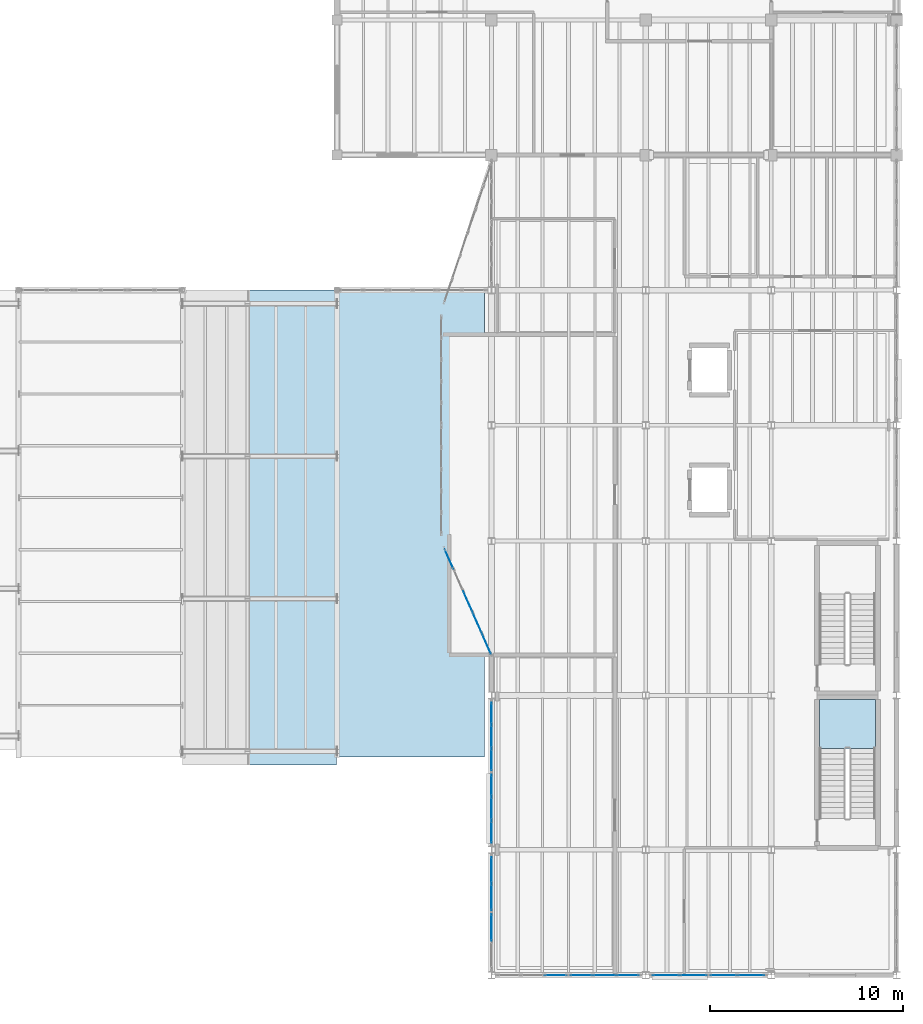
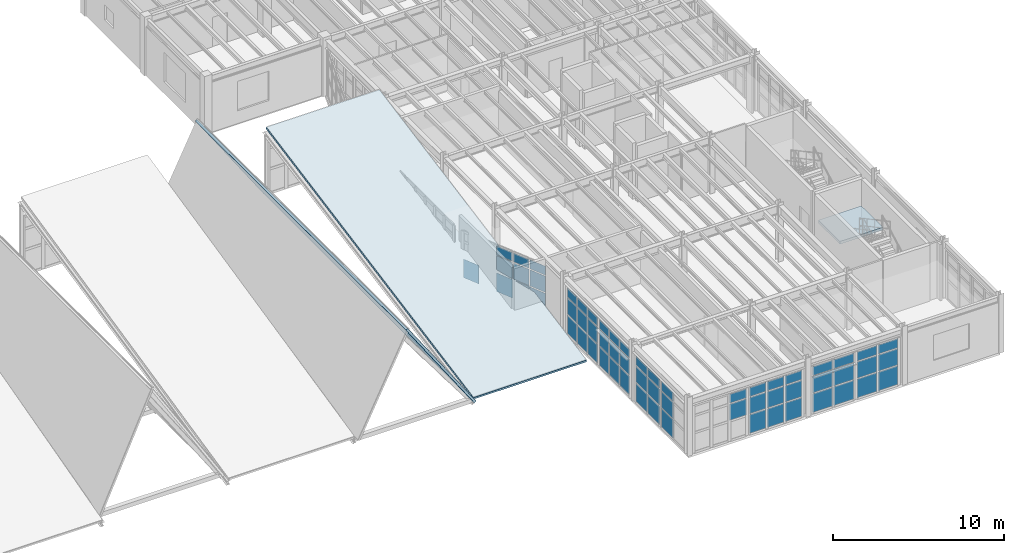
# One storey, part 51 of 77: 60 plates, 3 slabs, 12 elements without a shape of their own.
"""IFC4 building model written with IfcOpenShell, lengths in metres."""

from ifc_helpers import new_model, si_unit, direction, frame, origin, origin_2d, place, context, subcontext, project, spatial, polyline, rectangle, outline, extrude, material, layer, layer_set, type_object, element, aggregate, save


model = new_model("IFC4")

# Units and contexts
model_context = context("Model", 3, precision=1e-05, world=origin(), true_north=direction((0.0, 1.0)))
body_context = subcontext(model_context, "Body", "Model", "MODEL_VIEW")
ifc_project = project(units=[si_unit("LENGTHUNIT", "METRE"), si_unit("AREAUNIT", "SQUARE_METRE"), si_unit("VOLUMEUNIT", "CUBIC_METRE"), si_unit("PLANEANGLEUNIT", "RADIAN"), si_unit("MASSUNIT", "GRAM", prefix="KILO"), si_unit("THERMODYNAMICTEMPERATUREUNIT", "KELVIN"), si_unit("POWERUNIT", "WATT")], contexts=[model_context])

# Site, building, storey
site_placement = place(None, origin())
site = spatial("IfcSite", under=ifc_project, at=site_placement, CompositionType="ELEMENT")
building_placement = place(site_placement, origin())
building = spatial("IfcBuilding", under=site, at=building_placement, Name="Zhenchuan Central Fire Station", CompositionType="ELEMENT")
storey_placement = place(building_placement, frame((0.0, 0.0, 10.050048828125)))
storey = spatial("IfcBuildingStorey", under=building, at=storey_placement, Name="L03", CompositionType="ELEMENT", Elevation=10.050048828125)

# Curtain wall, plates
ifc_material_1 = material(Name="Anodised aluminium and low-E glazing", Category="aluminium")
curtain_wall_type_1 = type_object("IfcCurtainWallType", Name="CW-MOD-05", PredefinedType="USERDEFINED", material=ifc_material_1)
curtain_wall_1_placement = place(storey_placement, origin())
curtain_wall_1 = element("IfcCurtainWall", 1, at=curtain_wall_1_placement, inside=storey, type_object=curtain_wall_type_1, Name="L03 Unitised Curtain Wall 100", ObjectType="UNITISED GLAZING", PredefinedType="USERDEFINED")
ifc_material_2 = material(Name="Laminated low-E double glazing", Category="glass")
ifc_layer_1 = layer(ifc_material_2, 0.011962890625, Name="Laminated low-E double glazing", Category="glass")
ifc_layer_set_1 = layer_set([ifc_layer_1], Name="Laminated low-E double glazing")
plate_type = type_object("IfcPlateType", Name="CW-PNL12", PredefinedType="CURTAIN_PANEL", material=ifc_layer_set_1)
plate_1_placement = place(storey_placement, frame((143.33544921875, 0.0, 1.46044921875), z_axis=(0.0, 0.0, 1.0), x_axis=(1.0, 0.0, 0.0)))
plate_1 = element("IfcPlate", 2, at=plate_1_placement, type_object=plate_type, Name="CW-05 panel 3.2", PredefinedType="CURTAIN_PANEL", context=body_context, shape_type="SweptSolid", body=[
    extrude(rectangle(XDim=1.123046875, YDim=0.011962890625, at=origin_2d()), origin(), (0.0, 0.0, 1.0), 1.158935546875),
])
plate_2_placement = place(storey_placement, frame((143.33544921875, 0.0, 2.6845703125), z_axis=(0.0, 0.0, 1.0), x_axis=(1.0, 0.0, 0.0)))
plate_2 = element("IfcPlate", 3, at=plate_2_placement, type_object=plate_type, Name="CW-05 panel 3.3", PredefinedType="CURTAIN_PANEL", context=body_context, shape_type="SweptSolid", body=[
    extrude(rectangle(XDim=1.123046875, YDim=0.011962890625, at=origin_2d()), origin(), (0.0, 0.0, 1.0), 0.650390625),
])
aggregate(curtain_wall_1, [plate_1, plate_2])

curtain_wall_type_2 = type_object("IfcCurtainWallType", Name="CW-MOD-06", PredefinedType="USERDEFINED", material=ifc_material_1)
curtain_wall_2_placement = place(storey_placement, origin())
curtain_wall_2 = element("IfcCurtainWall", 4, at=curtain_wall_2_placement, inside=storey, type_object=curtain_wall_type_2, Name="L03 Unitised Curtain Wall 101", ObjectType="UNITISED GLAZING", PredefinedType="USERDEFINED")
plate_3_placement = place(storey_placement, frame((144.66455078125, 0.0, 0.06103515625), z_axis=(0.0, 0.0, 1.0), x_axis=(1.0, 0.0, 0.0)))
plate_3 = element("IfcPlate", 5, at=plate_3_placement, type_object=plate_type, Name="CW-06 panel 1.1", PredefinedType="CURTAIN_PANEL", context=body_context, shape_type="SweptSolid", body=[
    extrude(rectangle(XDim=1.123046875, YDim=0.011962890625, at=origin_2d()), origin(), (0.0, 0.0, 1.0), 1.33447265625),
])
plate_4_placement = place(storey_placement, frame((144.66455078125, 0.0, 1.46044921875), z_axis=(0.0, 0.0, 1.0), x_axis=(1.0, 0.0, 0.0)))
plate_4 = element("IfcPlate", 6, at=plate_4_placement, type_object=plate_type, Name="CW-06 panel 1.2", PredefinedType="CURTAIN_PANEL", context=body_context, shape_type="SweptSolid", body=[
    extrude(rectangle(XDim=1.123046875, YDim=0.011962890625, at=origin_2d()), origin(), (0.0, 0.0, 1.0), 1.158935546875),
])
plate_5_placement = place(storey_placement, frame((144.66455078125, 0.0, 2.6845703125), z_axis=(0.0, 0.0, 1.0), x_axis=(1.0, 0.0, 0.0)))
plate_5 = element("IfcPlate", 7, at=plate_5_placement, type_object=plate_type, Name="CW-06 panel 1.3", PredefinedType="CURTAIN_PANEL", context=body_context, shape_type="SweptSolid", body=[
    extrude(rectangle(XDim=1.123046875, YDim=0.011962890625, at=origin_2d()), origin(), (0.0, 0.0, 1.0), 0.650390625),
])
plate_6_placement = place(storey_placement, frame((145.868896484375, 0.0, 0.06103515625), z_axis=(0.0, 0.0, 1.0), x_axis=(1.0, 0.0, 0.0)))
plate_6 = element("IfcPlate", 8, at=plate_6_placement, type_object=plate_type, Name="CW-06 panel 2.1", PredefinedType="CURTAIN_PANEL", context=body_context, shape_type="SweptSolid", body=[
    extrude(rectangle(XDim=1.15576171875, YDim=0.011962890625, at=origin_2d()), origin(), (0.0, 0.0, 1.0), 1.33447265625),
])
plate_7_placement = place(storey_placement, frame((145.868896484375, 0.0, 1.46044921875), z_axis=(0.0, 0.0, 1.0), x_axis=(1.0, 0.0, 0.0)))
plate_7 = element("IfcPlate", 9, at=plate_7_placement, type_object=plate_type, Name="CW-06 panel 2.2", PredefinedType="CURTAIN_PANEL", context=body_context, shape_type="SweptSolid", body=[
    extrude(rectangle(XDim=1.15576171875, YDim=0.011962890625, at=origin_2d()), origin(), (0.0, 0.0, 1.0), 1.158935546875),
])
plate_8_placement = place(storey_placement, frame((145.868896484375, 0.0, 2.6845703125), z_axis=(0.0, 0.0, 1.0), x_axis=(1.0, 0.0, 0.0)))
plate_8 = element("IfcPlate", 10, at=plate_8_placement, type_object=plate_type, Name="CW-06 panel 2.3", PredefinedType="CURTAIN_PANEL", context=body_context, shape_type="SweptSolid", body=[
    extrude(rectangle(XDim=1.15576171875, YDim=0.011962890625, at=origin_2d()), origin(), (0.0, 0.0, 1.0), 0.650390625),
])
plate_9_placement = place(storey_placement, frame((147.073486328125, 0.0, 0.06103515625), z_axis=(0.0, 0.0, 1.0), x_axis=(1.0, 0.0, 0.0)))
plate_9 = element("IfcPlate", 11, at=plate_9_placement, type_object=plate_type, Name="CW-06 panel 3.1", PredefinedType="CURTAIN_PANEL", context=body_context, shape_type="SweptSolid", body=[
    extrude(rectangle(XDim=1.123046875, YDim=0.011962890625, at=origin_2d()), origin(), (0.0, 0.0, 1.0), 1.33447265625),
])
plate_10_placement = place(storey_placement, frame((147.073486328125, 0.0, 1.46044921875), z_axis=(0.0, 0.0, 1.0), x_axis=(1.0, 0.0, 0.0)))
plate_10 = element("IfcPlate", 12, at=plate_10_placement, type_object=plate_type, Name="CW-06 panel 3.2", PredefinedType="CURTAIN_PANEL", context=body_context, shape_type="SweptSolid", body=[
    extrude(rectangle(XDim=1.123046875, YDim=0.011962890625, at=origin_2d()), origin(), (0.0, 0.0, 1.0), 1.158935546875),
])
plate_11_placement = place(storey_placement, frame((147.073486328125, 0.0, 2.6845703125), z_axis=(0.0, 0.0, 1.0), x_axis=(1.0, 0.0, 0.0)))
plate_11 = element("IfcPlate", 13, at=plate_11_placement, type_object=plate_type, Name="CW-06 panel 3.3", PredefinedType="CURTAIN_PANEL", context=body_context, shape_type="SweptSolid", body=[
    extrude(rectangle(XDim=1.123046875, YDim=0.011962890625, at=origin_2d()), origin(), (0.0, 0.0, 1.0), 0.650390625),
])
aggregate(curtain_wall_2, [plate_3, plate_4, plate_5, plate_6, plate_7, plate_8, plate_9, plate_10, plate_11])

curtain_wall_3_placement = place(storey_placement, origin())
curtain_wall_3 = element("IfcCurtainWall", 14, at=curtain_wall_3_placement, inside=storey, type_object=curtain_wall_type_2, Name="L03 Unitised Curtain Wall 102", ObjectType="UNITISED GLAZING", PredefinedType="USERDEFINED")
plate_12_placement = place(storey_placement, frame((149.044189453125, 0.0, 0.06103515625), z_axis=(0.0, 0.0, 1.0), x_axis=(1.0, 0.0, 0.0)))
plate_12 = element("IfcPlate", 15, at=plate_12_placement, type_object=plate_type, Name="CW-06 panel 1.1", PredefinedType="CURTAIN_PANEL", context=body_context, shape_type="SweptSolid", body=[
    extrude(rectangle(XDim=1.3583984375, YDim=0.011962890625, at=origin_2d()), origin(), (0.0, 0.0, 1.0), 1.33447265625),
])
plate_13_placement = place(storey_placement, frame((149.044189453125, 0.0, 1.46044921875), z_axis=(0.0, 0.0, 1.0), x_axis=(1.0, 0.0, 0.0)))
plate_13 = element("IfcPlate", 16, at=plate_13_placement, type_object=plate_type, Name="CW-06 panel 1.2", PredefinedType="CURTAIN_PANEL", context=body_context, shape_type="SweptSolid", body=[
    extrude(rectangle(XDim=1.3583984375, YDim=0.011962890625, at=origin_2d()), origin(), (0.0, 0.0, 1.0), 1.158935546875),
])
plate_14_placement = place(storey_placement, frame((149.044189453125, 0.0, 2.6845703125), z_axis=(0.0, 0.0, 1.0), x_axis=(1.0, 0.0, 0.0)))
plate_14 = element("IfcPlate", 17, at=plate_14_placement, type_object=plate_type, Name="CW-06 panel 1.3", PredefinedType="CURTAIN_PANEL", context=body_context, shape_type="SweptSolid", body=[
    extrude(rectangle(XDim=1.3583984375, YDim=0.011962890625, at=origin_2d()), origin(), (0.0, 0.0, 1.0), 0.650390625),
])
plate_15_placement = place(storey_placement, frame((150.4677734375, 0.0, 0.06103515625), z_axis=(0.0, 0.0, 1.0), x_axis=(1.0, 0.0, 0.0)))
plate_15 = element("IfcPlate", 18, at=plate_15_placement, type_object=plate_type, Name="CW-06 panel 2.1", PredefinedType="CURTAIN_PANEL", context=body_context, shape_type="SweptSolid", body=[
    extrude(rectangle(XDim=1.3583984375, YDim=0.011962890625, at=origin_2d()), origin(), (0.0, 0.0, 1.0), 1.33447265625),
])
plate_16_placement = place(storey_placement, frame((150.4677734375, 0.0, 1.46044921875), z_axis=(0.0, 0.0, 1.0), x_axis=(1.0, 0.0, 0.0)))
plate_16 = element("IfcPlate", 19, at=plate_16_placement, type_object=plate_type, Name="CW-06 panel 2.2", PredefinedType="CURTAIN_PANEL", context=body_context, shape_type="SweptSolid", body=[
    extrude(rectangle(XDim=1.3583984375, YDim=0.011962890625, at=origin_2d()), origin(), (0.0, 0.0, 1.0), 1.158935546875),
])
plate_17_placement = place(storey_placement, frame((150.4677734375, 0.0, 2.6845703125), z_axis=(0.0, 0.0, 1.0), x_axis=(1.0, 0.0, 0.0)))
plate_17 = element("IfcPlate", 20, at=plate_17_placement, type_object=plate_type, Name="CW-06 panel 2.3", PredefinedType="CURTAIN_PANEL", context=body_context, shape_type="SweptSolid", body=[
    extrude(rectangle(XDim=1.3583984375, YDim=0.011962890625, at=origin_2d()), origin(), (0.0, 0.0, 1.0), 0.650390625),
])
aggregate(curtain_wall_3, [plate_12, plate_13, plate_14, plate_15, plate_16, plate_17])

curtain_wall_type_3 = type_object("IfcCurtainWallType", Name="CW-MOD-07", PredefinedType="USERDEFINED", material=ifc_material_1)
curtain_wall_4_placement = place(storey_placement, origin())
curtain_wall_4 = element("IfcCurtainWall", 21, at=curtain_wall_4_placement, inside=storey, type_object=curtain_wall_type_3, Name="L03 Unitised Curtain Wall 103", ObjectType="UNITISED GLAZING", PredefinedType="USERDEFINED")
plate_18_placement = place(storey_placement, frame((152.0322265625, 0.0, 0.06103515625), z_axis=(0.0, 0.0, 1.0), x_axis=(1.0, 0.0, 0.0)))
plate_18 = element("IfcPlate", 22, at=plate_18_placement, type_object=plate_type, Name="CW-07 panel 1.1", PredefinedType="CURTAIN_PANEL", context=body_context, shape_type="SweptSolid", body=[
    extrude(rectangle(XDim=1.3583984375, YDim=0.011962890625, at=origin_2d()), origin(), (0.0, 0.0, 1.0), 1.33447265625),
])
plate_19_placement = place(storey_placement, frame((152.0322265625, 0.0, 1.46044921875), z_axis=(0.0, 0.0, 1.0), x_axis=(1.0, 0.0, 0.0)))
plate_19 = element("IfcPlate", 23, at=plate_19_placement, type_object=plate_type, Name="CW-07 panel 1.2", PredefinedType="CURTAIN_PANEL", context=body_context, shape_type="SweptSolid", body=[
    extrude(rectangle(XDim=1.3583984375, YDim=0.011962890625, at=origin_2d()), origin(), (0.0, 0.0, 1.0), 1.158935546875),
])
plate_20_placement = place(storey_placement, frame((152.0322265625, 0.0, 2.6845703125), z_axis=(0.0, 0.0, 1.0), x_axis=(1.0, 0.0, 0.0)))
plate_20 = element("IfcPlate", 24, at=plate_20_placement, type_object=plate_type, Name="CW-07 panel 1.3", PredefinedType="CURTAIN_PANEL", context=body_context, shape_type="SweptSolid", body=[
    extrude(rectangle(XDim=1.3583984375, YDim=0.011962890625, at=origin_2d()), origin(), (0.0, 0.0, 1.0), 0.650390625),
])
plate_21_placement = place(storey_placement, frame((153.455810546875, 0.0, 0.06103515625), z_axis=(0.0, 0.0, 1.0), x_axis=(1.0, 0.0, 0.0)))
plate_21 = element("IfcPlate", 25, at=plate_21_placement, type_object=plate_type, Name="CW-07 panel 2.1", PredefinedType="CURTAIN_PANEL", context=body_context, shape_type="SweptSolid", body=[
    extrude(rectangle(XDim=1.3583984375, YDim=0.011962890625, at=origin_2d()), origin(), (0.0, 0.0, 1.0), 1.33447265625),
])
plate_22_placement = place(storey_placement, frame((153.455810546875, 0.0, 1.46044921875), z_axis=(0.0, 0.0, 1.0), x_axis=(1.0, 0.0, 0.0)))
plate_22 = element("IfcPlate", 26, at=plate_22_placement, type_object=plate_type, Name="CW-07 panel 2.2", PredefinedType="CURTAIN_PANEL", context=body_context, shape_type="SweptSolid", body=[
    extrude(rectangle(XDim=1.3583984375, YDim=0.011962890625, at=origin_2d()), origin(), (0.0, 0.0, 1.0), 1.158935546875),
])
plate_23_placement = place(storey_placement, frame((153.455810546875, 0.0, 2.6845703125), z_axis=(0.0, 0.0, 1.0), x_axis=(1.0, 0.0, 0.0)))
plate_23 = element("IfcPlate", 27, at=plate_23_placement, type_object=plate_type, Name="CW-07 panel 2.3", PredefinedType="CURTAIN_PANEL", context=body_context, shape_type="SweptSolid", body=[
    extrude(rectangle(XDim=1.3583984375, YDim=0.011962890625, at=origin_2d()), origin(), (0.0, 0.0, 1.0), 0.650390625),
])
aggregate(curtain_wall_4, [plate_18, plate_19, plate_20, plate_21, plate_22, plate_23])

curtain_wall_type_4 = type_object("IfcCurtainWallType", Name="CW-MOD-11", PredefinedType="USERDEFINED", material=ifc_material_1)
curtain_wall_5_placement = place(storey_placement, origin())
curtain_wall_5 = element("IfcCurtainWall", 28, at=curtain_wall_5_placement, inside=storey, type_object=curtain_wall_type_4, Name="L03 Unitised Curtain Wall 112", ObjectType="UNITISED GLAZING", PredefinedType="USERDEFINED")
plate_24_placement = place(storey_placement, frame((140.0, 2.4677734375, 0.06103515625), z_axis=(0.0, 0.0, 1.0), x_axis=(0.0, 1.0, 0.0)))
plate_24 = element("IfcPlate", 29, at=plate_24_placement, type_object=plate_type, Name="CW-11 panel 2.1", PredefinedType="CURTAIN_PANEL", context=body_context, shape_type="SweptSolid", body=[
    extrude(rectangle(XDim=1.3583984375, YDim=0.011962890625, at=origin_2d()), origin(), (0.0, 0.0, 1.0), 1.33447265625),
])
plate_25_placement = place(storey_placement, frame((140.0, 2.4677734375, 1.46044921875), z_axis=(0.0, 0.0, 1.0), x_axis=(0.0, 1.0, 0.0)))
plate_25 = element("IfcPlate", 30, at=plate_25_placement, type_object=plate_type, Name="CW-11 panel 2.2", PredefinedType="CURTAIN_PANEL", context=body_context, shape_type="SweptSolid", body=[
    extrude(rectangle(XDim=1.3583984375, YDim=0.011962890625, at=origin_2d()), origin(), (0.0, 0.0, 1.0), 1.158935546875),
])
plate_26_placement = place(storey_placement, frame((140.0, 2.4677734375, 2.6845703125), z_axis=(0.0, 0.0, 1.0), x_axis=(0.0, 1.0, 0.0)))
plate_26 = element("IfcPlate", 31, at=plate_26_placement, type_object=plate_type, Name="CW-11 panel 2.3", PredefinedType="CURTAIN_PANEL", context=body_context, shape_type="SweptSolid", body=[
    extrude(rectangle(XDim=1.3583984375, YDim=0.011962890625, at=origin_2d()), origin(), (0.0, 0.0, 1.0), 0.650390625),
])
aggregate(curtain_wall_5, [plate_24, plate_25, plate_26])

curtain_wall_type_5 = type_object("IfcCurtainWallType", Name="CW-MOD-12", PredefinedType="USERDEFINED", material=ifc_material_1)
curtain_wall_6_placement = place(storey_placement, origin())
curtain_wall_6 = element("IfcCurtainWall", 32, at=curtain_wall_6_placement, inside=storey, type_object=curtain_wall_type_5, Name="L03 Unitised Curtain Wall 113", ObjectType="UNITISED GLAZING", PredefinedType="USERDEFINED")
plate_27_placement = place(storey_placement, frame((140.0, 4.03466796875, 0.07080078125), z_axis=(0.0, 0.0, 1.0), x_axis=(0.0, 1.0, 0.0)))
plate_27 = element("IfcPlate", 33, at=plate_27_placement, type_object=plate_type, Name="CW-12 panel 1.1", PredefinedType="CURTAIN_PANEL", context=body_context, shape_type="SweptSolid", body=[
    extrude(rectangle(XDim=1.343505859375, YDim=0.011962890625, at=origin_2d()), origin(), (0.0, 0.0, 1.0), 1.319580078125),
])
plate_28_placement = place(storey_placement, frame((140.0, 4.03466796875, 1.465576171875), z_axis=(0.0, 0.0, 1.0), x_axis=(0.0, 1.0, 0.0)))
plate_28 = element("IfcPlate", 34, at=plate_28_placement, type_object=plate_type, Name="CW-12 panel 1.2", PredefinedType="CURTAIN_PANEL", context=body_context, shape_type="SweptSolid", body=[
    extrude(rectangle(XDim=1.343505859375, YDim=0.011962890625, at=origin_2d()), origin(), (0.0, 0.0, 1.0), 1.14892578125),
])
plate_29_placement = place(storey_placement, frame((140.0, 4.03466796875, 2.689453125), z_axis=(0.0, 0.0, 1.0), x_axis=(0.0, 1.0, 0.0)))
plate_29 = element("IfcPlate", 35, at=plate_29_placement, type_object=plate_type, Name="CW-12 panel 1.3", PredefinedType="CURTAIN_PANEL", context=body_context, shape_type="SweptSolid", body=[
    extrude(rectangle(XDim=1.343505859375, YDim=0.011962890625, at=origin_2d()), origin(), (0.0, 0.0, 1.0), 0.635498046875),
])
plate_30_placement = place(storey_placement, frame((140.0, 5.453369140625, 0.07080078125), z_axis=(0.0, 0.0, 1.0), x_axis=(0.0, 1.0, 0.0)))
plate_30 = element("IfcPlate", 36, at=plate_30_placement, type_object=plate_type, Name="CW-12 panel 2.1", PredefinedType="CURTAIN_PANEL", context=body_context, shape_type="SweptSolid", body=[
    extrude(rectangle(XDim=1.343505859375, YDim=0.011962890625, at=origin_2d()), origin(), (0.0, 0.0, 1.0), 1.319580078125),
])
plate_31_placement = place(storey_placement, frame((140.0, 5.453369140625, 1.465576171875), z_axis=(0.0, 0.0, 1.0), x_axis=(0.0, 1.0, 0.0)))
plate_31 = element("IfcPlate", 37, at=plate_31_placement, type_object=plate_type, Name="CW-12 panel 2.2", PredefinedType="CURTAIN_PANEL", context=body_context, shape_type="SweptSolid", body=[
    extrude(rectangle(XDim=1.343505859375, YDim=0.011962890625, at=origin_2d()), origin(), (0.0, 0.0, 1.0), 1.14892578125),
])
plate_32_placement = place(storey_placement, frame((140.0, 5.453369140625, 2.689453125), z_axis=(0.0, 0.0, 1.0), x_axis=(0.0, 1.0, 0.0)))
plate_32 = element("IfcPlate", 38, at=plate_32_placement, type_object=plate_type, Name="CW-12 panel 2.3", PredefinedType="CURTAIN_PANEL", context=body_context, shape_type="SweptSolid", body=[
    extrude(rectangle(XDim=1.343505859375, YDim=0.011962890625, at=origin_2d()), origin(), (0.0, 0.0, 1.0), 0.635498046875),
])
aggregate(curtain_wall_6, [plate_27, plate_28, plate_29, plate_30, plate_31, plate_32])

curtain_wall_7_placement = place(storey_placement, origin())
curtain_wall_7 = element("IfcCurtainWall", 39, at=curtain_wall_7_placement, inside=storey, type_object=curtain_wall_type_5, Name="L03 Unitised Curtain Wall 114", ObjectType="UNITISED GLAZING", PredefinedType="USERDEFINED")
plate_33_placement = place(storey_placement, frame((140.0, 7.42919921875, 0.07080078125), z_axis=(0.0, 0.0, 1.0), x_axis=(0.0, 1.0, 0.0)))
plate_33 = element("IfcPlate", 40, at=plate_33_placement, type_object=plate_type, Name="CW-12 panel 1.1", PredefinedType="CURTAIN_PANEL", context=body_context, shape_type="SweptSolid", body=[
    extrude(rectangle(XDim=1.108154296875, YDim=0.011962890625, at=origin_2d()), origin(), (0.0, 0.0, 1.0), 1.319580078125),
])
plate_34_placement = place(storey_placement, frame((140.0, 7.42919921875, 1.465576171875), z_axis=(0.0, 0.0, 1.0), x_axis=(0.0, 1.0, 0.0)))
plate_34 = element("IfcPlate", 41, at=plate_34_placement, type_object=plate_type, Name="CW-12 panel 1.2", PredefinedType="CURTAIN_PANEL", context=body_context, shape_type="SweptSolid", body=[
    extrude(rectangle(XDim=1.108154296875, YDim=0.011962890625, at=origin_2d()), origin(), (0.0, 0.0, 1.0), 1.14892578125),
])
plate_35_placement = place(storey_placement, frame((140.0, 7.42919921875, 2.689453125), z_axis=(0.0, 0.0, 1.0), x_axis=(0.0, 1.0, 0.0)))
plate_35 = element("IfcPlate", 42, at=plate_35_placement, type_object=plate_type, Name="CW-12 panel 1.3", PredefinedType="CURTAIN_PANEL", context=body_context, shape_type="SweptSolid", body=[
    extrude(rectangle(XDim=1.108154296875, YDim=0.011962890625, at=origin_2d()), origin(), (0.0, 0.0, 1.0), 0.635498046875),
])
plate_36_placement = place(storey_placement, frame((140.0, 8.631103515625, 0.07080078125), z_axis=(0.0, 0.0, 1.0), x_axis=(0.0, 1.0, 0.0)))
plate_36 = element("IfcPlate", 43, at=plate_36_placement, type_object=plate_type, Name="CW-12 panel 2.1", PredefinedType="CURTAIN_PANEL", context=body_context, shape_type="SweptSolid", body=[
    extrude(rectangle(XDim=1.145751953125, YDim=0.011962890625, at=origin_2d()), origin(), (0.0, 0.0, 1.0), 1.319580078125),
])
plate_37_placement = place(storey_placement, frame((140.0, 8.631103515625, 1.465576171875), z_axis=(0.0, 0.0, 1.0), x_axis=(0.0, 1.0, 0.0)))
plate_37 = element("IfcPlate", 44, at=plate_37_placement, type_object=plate_type, Name="CW-12 panel 2.2", PredefinedType="CURTAIN_PANEL", context=body_context, shape_type="SweptSolid", body=[
    extrude(rectangle(XDim=1.145751953125, YDim=0.011962890625, at=origin_2d()), origin(), (0.0, 0.0, 1.0), 1.14892578125),
])
plate_38_placement = place(storey_placement, frame((140.0, 8.631103515625, 2.689453125), z_axis=(0.0, 0.0, 1.0), x_axis=(0.0, 1.0, 0.0)))
plate_38 = element("IfcPlate", 45, at=plate_38_placement, type_object=plate_type, Name="CW-12 panel 2.3", PredefinedType="CURTAIN_PANEL", context=body_context, shape_type="SweptSolid", body=[
    extrude(rectangle(XDim=1.145751953125, YDim=0.011962890625, at=origin_2d()), origin(), (0.0, 0.0, 1.0), 0.635498046875),
])
plate_39_placement = place(storey_placement, frame((140.0, 9.8330078125, 0.07080078125), z_axis=(0.0, 0.0, 1.0), x_axis=(0.0, 1.0, 0.0)))
plate_39 = element("IfcPlate", 46, at=plate_39_placement, type_object=plate_type, Name="CW-12 panel 3.1", PredefinedType="CURTAIN_PANEL", context=body_context, shape_type="SweptSolid", body=[
    extrude(rectangle(XDim=1.108154296875, YDim=0.011962890625, at=origin_2d()), origin(), (0.0, 0.0, 1.0), 1.319580078125),
])
plate_40_placement = place(storey_placement, frame((140.0, 9.8330078125, 1.465576171875), z_axis=(0.0, 0.0, 1.0), x_axis=(0.0, 1.0, 0.0)))
plate_40 = element("IfcPlate", 47, at=plate_40_placement, type_object=plate_type, Name="CW-12 panel 3.2", PredefinedType="CURTAIN_PANEL", context=body_context, shape_type="SweptSolid", body=[
    extrude(rectangle(XDim=1.108154296875, YDim=0.011962890625, at=origin_2d()), origin(), (0.0, 0.0, 1.0), 1.14892578125),
])
plate_41_placement = place(storey_placement, frame((140.0, 9.8330078125, 2.689453125), z_axis=(0.0, 0.0, 1.0), x_axis=(0.0, 1.0, 0.0)))
plate_41 = element("IfcPlate", 48, at=plate_41_placement, type_object=plate_type, Name="CW-12 panel 3.3", PredefinedType="CURTAIN_PANEL", context=body_context, shape_type="SweptSolid", body=[
    extrude(rectangle(XDim=1.108154296875, YDim=0.011962890625, at=origin_2d()), origin(), (0.0, 0.0, 1.0), 0.635498046875),
])
aggregate(curtain_wall_7, [plate_33, plate_34, plate_35, plate_36, plate_37, plate_38, plate_39, plate_40, plate_41])

curtain_wall_type_6 = type_object("IfcCurtainWallType", Name="CW-MOD-13", PredefinedType="USERDEFINED", material=ifc_material_1)
curtain_wall_8_placement = place(storey_placement, origin())
curtain_wall_8 = element("IfcCurtainWall", 49, at=curtain_wall_8_placement, inside=storey, type_object=curtain_wall_type_6, Name="L03 Unitised Curtain Wall 115", ObjectType="UNITISED GLAZING", PredefinedType="USERDEFINED")
plate_42_placement = place(storey_placement, frame((140.0, 11.1669921875, 0.07080078125), z_axis=(0.0, 0.0, 1.0), x_axis=(0.0, 1.0, 0.0)))
plate_42 = element("IfcPlate", 50, at=plate_42_placement, type_object=plate_type, Name="CW-13 panel 1.1", PredefinedType="CURTAIN_PANEL", context=body_context, shape_type="SweptSolid", body=[
    extrude(rectangle(XDim=1.108154296875, YDim=0.011962890625, at=origin_2d()), origin(), (0.0, 0.0, 1.0), 1.319580078125),
])
plate_43_placement = place(storey_placement, frame((140.0, 11.1669921875, 1.465576171875), z_axis=(0.0, 0.0, 1.0), x_axis=(0.0, 1.0, 0.0)))
plate_43 = element("IfcPlate", 51, at=plate_43_placement, type_object=plate_type, Name="CW-13 panel 1.2", PredefinedType="CURTAIN_PANEL", context=body_context, shape_type="SweptSolid", body=[
    extrude(rectangle(XDim=1.108154296875, YDim=0.011962890625, at=origin_2d()), origin(), (0.0, 0.0, 1.0), 1.14892578125),
])
plate_44_placement = place(storey_placement, frame((140.0, 11.1669921875, 2.689453125), z_axis=(0.0, 0.0, 1.0), x_axis=(0.0, 1.0, 0.0)))
plate_44 = element("IfcPlate", 52, at=plate_44_placement, type_object=plate_type, Name="CW-13 panel 1.3", PredefinedType="CURTAIN_PANEL", context=body_context, shape_type="SweptSolid", body=[
    extrude(rectangle(XDim=1.108154296875, YDim=0.011962890625, at=origin_2d()), origin(), (0.0, 0.0, 1.0), 0.635498046875),
])
plate_45_placement = place(storey_placement, frame((140.0, 12.368896484375, 0.07080078125), z_axis=(0.0, 0.0, 1.0), x_axis=(0.0, 1.0, 0.0)))
plate_45 = element("IfcPlate", 53, at=plate_45_placement, type_object=plate_type, Name="CW-13 panel 2.1", PredefinedType="CURTAIN_PANEL", context=body_context, shape_type="SweptSolid", body=[
    extrude(rectangle(XDim=1.145751953125, YDim=0.011962890625, at=origin_2d()), origin(), (0.0, 0.0, 1.0), 1.319580078125),
])
plate_46_placement = place(storey_placement, frame((140.0, 12.368896484375, 1.465576171875), z_axis=(0.0, 0.0, 1.0), x_axis=(0.0, 1.0, 0.0)))
plate_46 = element("IfcPlate", 54, at=plate_46_placement, type_object=plate_type, Name="CW-13 panel 2.2", PredefinedType="CURTAIN_PANEL", context=body_context, shape_type="SweptSolid", body=[
    extrude(rectangle(XDim=1.145751953125, YDim=0.011962890625, at=origin_2d()), origin(), (0.0, 0.0, 1.0), 1.14892578125),
])
plate_47_placement = place(storey_placement, frame((140.0, 12.368896484375, 2.689453125), z_axis=(0.0, 0.0, 1.0), x_axis=(0.0, 1.0, 0.0)))
plate_47 = element("IfcPlate", 55, at=plate_47_placement, type_object=plate_type, Name="CW-13 panel 2.3", PredefinedType="CURTAIN_PANEL", context=body_context, shape_type="SweptSolid", body=[
    extrude(rectangle(XDim=1.145751953125, YDim=0.011962890625, at=origin_2d()), origin(), (0.0, 0.0, 1.0), 0.635498046875),
])
plate_48_placement = place(storey_placement, frame((140.0, 13.57080078125, 0.07080078125), z_axis=(0.0, 0.0, 1.0), x_axis=(0.0, 1.0, 0.0)))
plate_48 = element("IfcPlate", 56, at=plate_48_placement, type_object=plate_type, Name="CW-13 panel 3.1", PredefinedType="CURTAIN_PANEL", context=body_context, shape_type="SweptSolid", body=[
    extrude(rectangle(XDim=1.108154296875, YDim=0.011962890625, at=origin_2d()), origin(), (0.0, 0.0, 1.0), 1.319580078125),
])
plate_49_placement = place(storey_placement, frame((140.0, 13.57080078125, 1.465576171875), z_axis=(0.0, 0.0, 1.0), x_axis=(0.0, 1.0, 0.0)))
plate_49 = element("IfcPlate", 57, at=plate_49_placement, type_object=plate_type, Name="CW-13 panel 3.2", PredefinedType="CURTAIN_PANEL", context=body_context, shape_type="SweptSolid", body=[
    extrude(rectangle(XDim=1.108154296875, YDim=0.011962890625, at=origin_2d()), origin(), (0.0, 0.0, 1.0), 1.14892578125),
])
plate_50_placement = place(storey_placement, frame((140.0, 13.57080078125, 2.689453125), z_axis=(0.0, 0.0, 1.0), x_axis=(0.0, 1.0, 0.0)))
plate_50 = element("IfcPlate", 58, at=plate_50_placement, type_object=plate_type, Name="CW-13 panel 3.3", PredefinedType="CURTAIN_PANEL", context=body_context, shape_type="SweptSolid", body=[
    extrude(rectangle(XDim=1.108154296875, YDim=0.011962890625, at=origin_2d()), origin(), (0.0, 0.0, 1.0), 0.635498046875),
])
aggregate(curtain_wall_8, [plate_42, plate_43, plate_44, plate_45, plate_46, plate_47, plate_48, plate_49, plate_50])

curtain_wall_type_7 = type_object("IfcCurtainWallType", Name="CW-MOD-15", PredefinedType="USERDEFINED", material=ifc_material_1)
curtain_wall_9_placement = place(storey_placement, origin())
curtain_wall_9 = element("IfcCurtainWall", 59, at=curtain_wall_9_placement, inside=storey, type_object=curtain_wall_type_7, Name="L03 Unitised Curtain Wall 118", ObjectType="UNITISED GLAZING", PredefinedType="USERDEFINED")
plate_51_placement = place(storey_placement, frame((137.802490234375, 21.577880859375, 0.07080078125), z_axis=(0.0, 0.0, 1.0), x_axis=(0.403843105897, -0.914828260287, 0.0)))
plate_51 = element("IfcPlate", 60, at=plate_51_placement, type_object=plate_type, Name="CW-15 panel 1.1", PredefinedType="CURTAIN_PANEL", context=body_context, shape_type="SweptSolid", body=[
    extrude(rectangle(XDim=1.100830078125, YDim=0.011962890625, at=origin_2d()), origin(), (0.0, 0.0, 1.0), 1.319580078125),
])
plate_52_placement = place(storey_placement, frame((138.77490234375, 19.375, 0.07080078125), z_axis=(0.0, 0.0, 1.0), x_axis=(0.403843105897, -0.914828260287, 0.0)))
plate_52 = element("IfcPlate", 61, at=plate_52_placement, type_object=plate_type, Name="CW-15 panel 3.1", PredefinedType="CURTAIN_PANEL", context=body_context, shape_type="SweptSolid", body=[
    extrude(rectangle(XDim=1.138427734375, YDim=0.011962890625, at=origin_2d()), origin(), (0.0, 0.0, 1.0), 1.319580078125),
])
plate_53_placement = place(storey_placement, frame((138.77490234375, 19.375, 1.465576171875), z_axis=(0.0, 0.0, 1.0), x_axis=(0.403843105897, -0.914828260287, 0.0)))
plate_53 = element("IfcPlate", 62, at=plate_53_placement, type_object=plate_type, Name="CW-15 panel 3.2", PredefinedType="CURTAIN_PANEL", context=body_context, shape_type="SweptSolid", body=[
    extrude(rectangle(XDim=1.138427734375, YDim=0.011962890625, at=origin_2d()), origin(), (0.0, 0.0, 1.0), 1.14892578125),
])
plate_54_placement = place(storey_placement, frame((138.77490234375, 19.375, 2.689453125), z_axis=(0.0, 0.0, 1.0), x_axis=(0.403843105897, -0.914828260287, 0.0)))
plate_54 = element("IfcPlate", 63, at=plate_54_placement, type_object=plate_type, Name="CW-15 panel 3.3", PredefinedType="CURTAIN_PANEL", context=body_context, shape_type="SweptSolid", body=[
    extrude(rectangle(XDim=1.138427734375, YDim=0.011962890625, at=origin_2d()), origin(), (0.0, 0.0, 1.0), 0.635498046875),
])
plate_55_placement = place(storey_placement, frame((139.264892578125, 18.264892578125, 0.07080078125), z_axis=(0.0, 0.0, 1.0), x_axis=(0.403843105897, -0.914828260287, 0.0)))
plate_55 = element("IfcPlate", 64, at=plate_55_placement, type_object=plate_type, Name="CW-15 panel 4.1", PredefinedType="CURTAIN_PANEL", context=body_context, shape_type="SweptSolid", body=[
    extrude(rectangle(XDim=1.138427734375, YDim=0.011962890625, at=origin_2d()), origin(), (0.0, 0.0, 1.0), 1.319580078125),
])
plate_56_placement = place(storey_placement, frame((139.264892578125, 18.264892578125, 1.465576171875), z_axis=(0.0, 0.0, 1.0), x_axis=(0.403843105897, -0.914828260287, 0.0)))
plate_56 = element("IfcPlate", 65, at=plate_56_placement, type_object=plate_type, Name="CW-15 panel 4.2", PredefinedType="CURTAIN_PANEL", context=body_context, shape_type="SweptSolid", body=[
    extrude(rectangle(XDim=1.138427734375, YDim=0.011962890625, at=origin_2d()), origin(), (0.0, 0.0, 1.0), 1.14892578125),
])
plate_57_placement = place(storey_placement, frame((139.264892578125, 18.264892578125, 2.689453125), z_axis=(0.0, 0.0, 1.0), x_axis=(0.403843105897, -0.914828260287, 0.0)))
plate_57 = element("IfcPlate", 66, at=plate_57_placement, type_object=plate_type, Name="CW-15 panel 4.3", PredefinedType="CURTAIN_PANEL", context=body_context, shape_type="SweptSolid", body=[
    extrude(rectangle(XDim=1.138427734375, YDim=0.011962890625, at=origin_2d()), origin(), (0.0, 0.0, 1.0), 0.635498046875),
])
plate_58_placement = place(storey_placement, frame((139.747314453125, 17.172119140625, 0.07080078125), z_axis=(0.0, 0.0, 1.0), x_axis=(0.403843105897, -0.914828260287, 0.0)))
plate_58 = element("IfcPlate", 67, at=plate_58_placement, type_object=plate_type, Name="CW-15 panel 5.1", PredefinedType="CURTAIN_PANEL", context=body_context, shape_type="SweptSolid", body=[
    extrude(rectangle(XDim=1.100830078125, YDim=0.011962890625, at=origin_2d()), origin(), (0.0, 0.0, 1.0), 1.319580078125),
])
plate_59_placement = place(storey_placement, frame((139.747314453125, 17.172119140625, 1.465576171875), z_axis=(0.0, 0.0, 1.0), x_axis=(0.403843105897, -0.914828260287, 0.0)))
plate_59 = element("IfcPlate", 68, at=plate_59_placement, type_object=plate_type, Name="CW-15 panel 5.2", PredefinedType="CURTAIN_PANEL", context=body_context, shape_type="SweptSolid", body=[
    extrude(rectangle(XDim=1.100830078125, YDim=0.011962890625, at=origin_2d()), origin(), (0.0, 0.0, 1.0), 1.14892578125),
])
plate_60_placement = place(storey_placement, frame((139.747314453125, 17.172119140625, 2.689453125), z_axis=(0.0, 0.0, 1.0), x_axis=(0.403843105897, -0.914828260287, 0.0)))
plate_60 = element("IfcPlate", 69, at=plate_60_placement, type_object=plate_type, Name="CW-15 panel 5.3", PredefinedType="CURTAIN_PANEL", context=body_context, shape_type="SweptSolid", body=[
    extrude(rectangle(XDim=1.100830078125, YDim=0.011962890625, at=origin_2d()), origin(), (0.0, 0.0, 1.0), 0.635498046875),
])
aggregate(curtain_wall_9, [plate_51, plate_52, plate_53, plate_54, plate_55, plate_56, plate_57, plate_58, plate_59, plate_60])

# Stair, slab
ifc_material_3 = material(Name="Concrete C35/45", Category="concrete")
stair_type = type_object("IfcStairType", Name="ST-CORE-TYP", PredefinedType="HALF_TURN_STAIR", material=ifc_material_3)
stair_placement = place(storey_placement, origin())
stair = element("IfcStair", 70, at=stair_placement, inside=storey, type_object=stair_type, Name="L03 Headquarters South Exit Stair", PredefinedType="HALF_TURN_STAIR")
ifc_layer_2 = layer(ifc_material_3, 0.159912109375, Name="Concrete C35/45", Category="concrete")
ifc_layer_set_2 = layer_set([ifc_layer_2], Name="Concrete C35/45")
slab_type_1 = type_object("IfcSlabType", Name="SL-LND160", PredefinedType="LANDING", material=ifc_layer_set_2)
slab_1_placement = place(storey_placement, frame((0.0, 0.0, 1.89990234375)))
slab_1 = element("IfcSlab", 71, at=slab_1_placement, type_object=slab_type_1, Name="ST-10 landing 1", PredefinedType="LANDING", context=body_context, shape_type="SweptSolid", body=[
    extrude(outline(polyline([(159.89990234375, 11.760009765625), (159.89990234375, 14.280029296875), (157.0, 14.280029296875), (157.0, 11.760009765625), (159.89990234375, 11.760009765625)])), origin(), (0.0, 0.0, 1.0), 0.199951171875),
])
aggregate(stair, [slab_1])

# Roof, slab
ifc_material_4 = material(Name="Standing-seam aluminium roofing", Category="aluminium")
roof_type = type_object("IfcRoofType", Name="RF-SAW", PredefinedType="SHED_ROOF", material=ifc_material_4)
roof_1_placement = place(storey_placement, origin())
roof_1 = element("IfcRoof", 72, at=roof_1_placement, inside=storey, type_object=roof_type, Name="Pavilion H09 Gable Roof Assembly", PredefinedType="SHED_ROOF")
ifc_layer_3 = layer(ifc_material_3, 0.14990234375, Name="Concrete C35/45", Category="concrete")
ifc_layer_set_3 = layer_set([ifc_layer_3], Name="Concrete C35/45")
slab_type_2 = type_object("IfcSlabType", Name="SL-RF150", PredefinedType="ROOF", material=ifc_layer_set_3)
slab_2_placement = place(storey_placement, frame((127.360107421875, 10.89990234375, 6.800048828125), z_axis=(0.827437814597, 0.0, 0.561557355018), x_axis=(0.561557355018, 0.0, -0.827437814597)))
slab_2 = element("IfcSlab", 73, at=slab_2_placement, type_object=slab_type_2, Name="Pavilion H09 Gable Roof Slope E", PredefinedType="ROOF", context=body_context, shape_type="SweptSolid", body=[
    extrude(outline(polyline([(0.0, 0.0), (8.218199250946695, 0.0), (8.218199250946695, 24.60009765625), (0.0, 24.60009765625), (0.0, 0.0)])), origin(), (0.0, 0.0, -1.0), 0.14990234375),
])
aggregate(roof_1, [slab_2])

roof_2_placement = place(storey_placement, origin())
roof_2 = element("IfcRoof", 74, at=roof_2_placement, inside=storey, type_object=roof_type, Name="Pavilion H10 Sawtooth Roof Assembly", PredefinedType="SHED_ROOF")
slab_3_placement = place(storey_placement, frame((132.02490234375, 11.300048828125, 0.0), z_axis=(0.0, -0.186733631627, 0.98241058159), x_axis=(1.0, 0.0, 0.0)))
slab_3 = element("IfcSlab", 75, at=slab_3_placement, type_object=slab_type_2, Name="Pavilion H10 Sawtooth Roof Slab", PredefinedType="ROOF", context=body_context, shape_type="SweptSolid", body=[
    extrude(outline(polyline([(0.0, 0.0), (7.625, 0.0), (7.625, 24.633235457128684), (0.0, 24.633235457128684), (0.0, 0.0)])), origin(), (0.0, 0.0, -1.0), 0.14990234375),
])
aggregate(roof_2, [slab_3])

save(model, "model.ifc")
